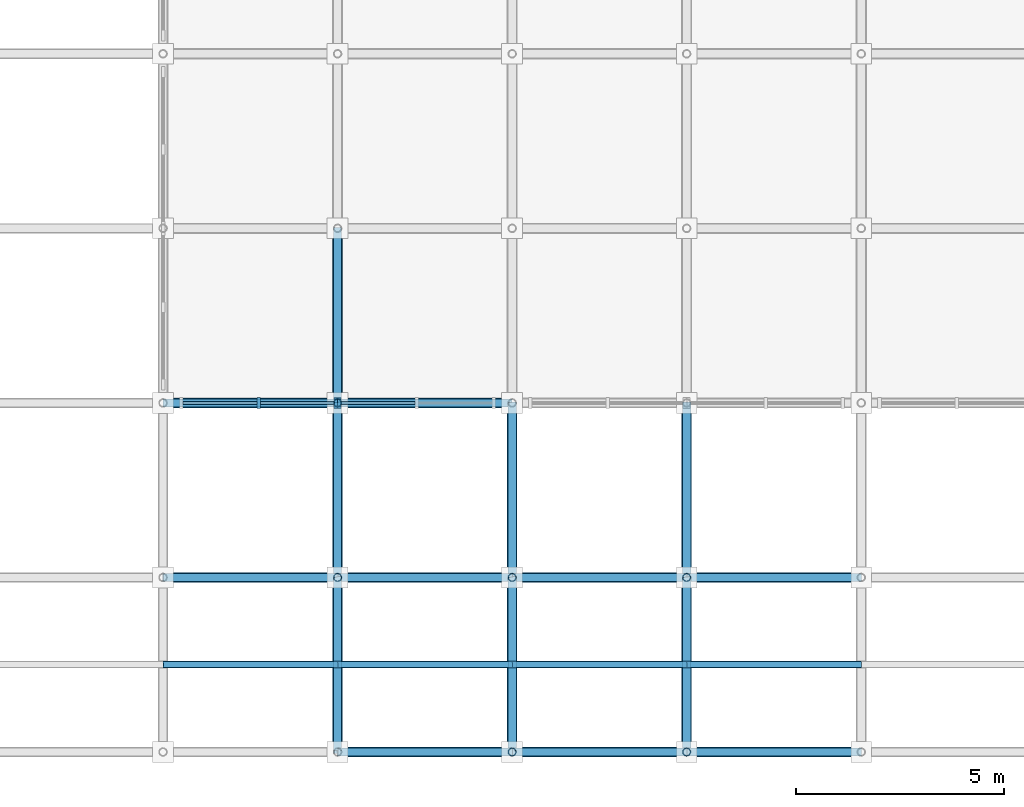
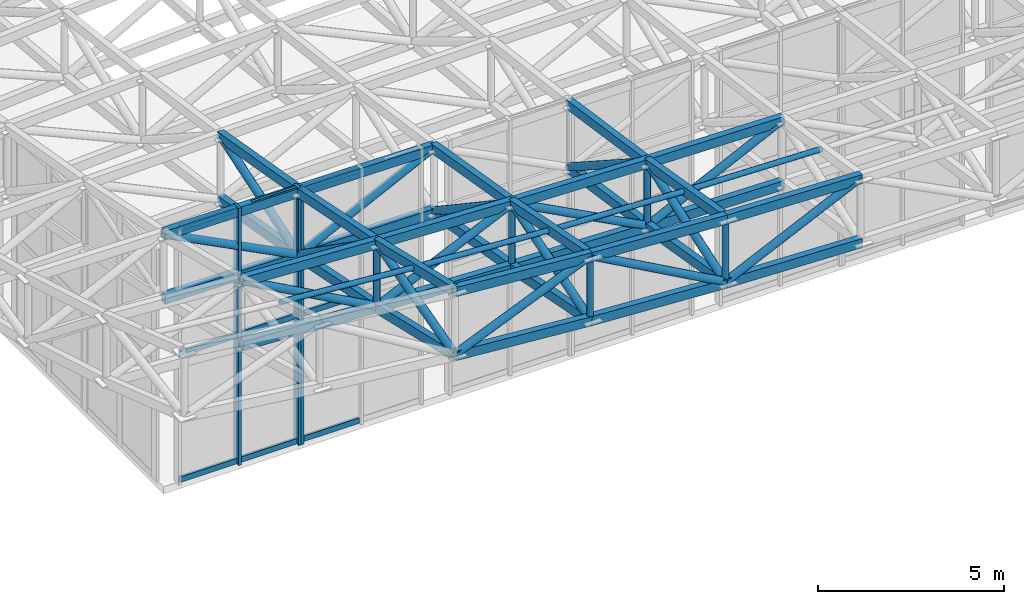
# One storey, part 27 of 123: 70 members, 2 elements without a shape of their own.
"""IFC4 building model written with IfcOpenShell, lengths in metres."""

import ifcopenshell
import ifcopenshell.guid

model = None  # the IFC model being written
_history = None  # IfcOwnerHistory: only IFC2X3 demands one
_inside = {}  # id of a spatial element -> (the spatial element, [elements in it])
_under = {}  # id of a project, library or spatial element -> (it, [spatial elements below it])
_declared = {}  # id of a project -> (the project, [libraries it declares])
_typed = {}  # id of a type object -> (the type object, [elements of that type])
_made_of = {}  # id of a material, layer set ... -> (it, [elements and type objects made of it])


def new_model(schema):
    """Start an empty IFC model of exactly this schema.

    Asked for "IFC4X3", IfcOpenShell would pick the latest addendum, in which some entities
    have other attributes; the version numbers below select the first issue.
    IFC2X3 requires an IfcOwnerHistory on every rooted entity: one is made here for all.
    """
    global model, _history
    if schema == "IFC4X3":
        model = ifcopenshell.file(schema_version=(4, 3, 0, 0))
    else:
        model = ifcopenshell.file(schema=schema)
    _inside.clear()
    _under.clear()
    _declared.clear()
    _typed.clear()
    _made_of.clear()
    _history = None
    if model.schema == "IFC2X3":
        org = make("IfcOrganization", Name="unknown")
        user = make(
            "IfcPersonAndOrganization",
            ThePerson=make("IfcPerson", FamilyName="unknown"),
            TheOrganization=org,
        )
        app = make(
            "IfcApplication",
            ApplicationDeveloper=org,
            Version="unknown",
            ApplicationFullName="unknown",
            ApplicationIdentifier="unknown",
        )
        _history = make(
            "IfcOwnerHistory",
            OwningUser=user,
            OwningApplication=app,
            ChangeAction="ADDED",
            CreationDate=0,
        )
    return model


def make(cls, **values):
    """One entity of the class cls with the attributes given. An attribute that is None is left unset."""
    return model.create_entity(
        cls, **{name: value for name, value in values.items() if value is not None}
    )


def rooted(cls, **values):
    """An entity with a GlobalId (a new one), such as an element, a storey or a relation."""
    return make(cls, GlobalId=ifcopenshell.guid.new(), OwnerHistory=_history, **values)


def si_unit(unit_type, name, prefix=None):
    """IfcSIUnit, for example si_unit("LENGTHUNIT", "METRE", prefix="MILLI")."""
    return make("IfcSIUnit", UnitType=unit_type, Prefix=prefix, Name=name)


def assignment(units):
    """IfcUnitAssignment: the units of a project."""
    return None if units is None else make("IfcUnitAssignment", Units=units)


def point(xyz):
    """IfcCartesianPoint."""
    return None if xyz is None else make("IfcCartesianPoint", Coordinates=xyz)


def direction(xyz):
    """IfcDirection."""
    return None if xyz is None else make("IfcDirection", DirectionRatios=xyz)


def frame(location, z_axis=None, x_axis=None):
    """IfcAxis2Placement3D, a coordinate frame: its origin and axes. An axis left out is left unset."""
    return make(
        "IfcAxis2Placement3D",
        Location=point(location),
        Axis=direction(z_axis),
        RefDirection=direction(x_axis),
    )


def frame_2d(location, x_axis=None):
    """IfcAxis2Placement2D, a coordinate frame in the plane: its origin and x axis."""
    return make(
        "IfcAxis2Placement2D", Location=point(location), RefDirection=direction(x_axis)
    )


def origin():
    """The frame at (0, 0, 0) with its axes left unset."""
    return frame((0.0, 0.0, 0.0))


def origin_2d():
    """The frame at (0, 0) in the plane with its x axis left unset."""
    return frame_2d((0.0, 0.0))


def place(relative_to, where):
    """IfcLocalPlacement: puts the frame where relative to a parent placement (None: the world)."""
    return make(
        "IfcLocalPlacement", PlacementRelTo=relative_to, RelativePlacement=where
    )


def context(
    kind, dimensions, precision=None, world=None, true_north=None, identifier=None
):
    """IfcGeometricRepresentationContext, for example the 3D "Model" context."""
    return make(
        "IfcGeometricRepresentationContext",
        ContextIdentifier=identifier,
        ContextType=kind,
        CoordinateSpaceDimension=dimensions,
        Precision=precision,
        WorldCoordinateSystem=world,
        TrueNorth=true_north,
    )


def subcontext(parent, identifier, kind, view, scale=None):
    """IfcGeometricRepresentationSubContext, for example "Body" below "Model"."""
    return make(
        "IfcGeometricRepresentationSubContext",
        ContextIdentifier=identifier,
        ContextType=kind,
        ParentContext=parent,
        TargetScale=scale,
        TargetView=view,
    )


def project(units=None, contexts=None):
    """IfcProject with its units and contexts."""
    return rooted(
        "IfcProject",
        Name="project",
        RepresentationContexts=contexts,
        UnitsInContext=assignment(units),
    )


def spatial(cls, under=None, at=None, **own):
    """A site, building, storey or space (cls), placed at a placement, below another one or the project."""
    s = rooted(cls, ObjectPlacement=at, **own)
    if under is not None:
        _under.setdefault(under.id(), (under, []))[1].append(s)
    return s


def profile(cls, at=None, kind="AREA", **sizes):
    """A parametric profile (cls). Its sizes go by their IFC names, for example OverallWidth=200.0."""
    return make(cls, ProfileType=kind, Position=at, **sizes)


def rectangle(**sizes):
    """IfcRectangleProfileDef."""
    return profile("IfcRectangleProfileDef", **sizes)


def hollow_rectangle(**sizes):
    """IfcRectangleHollowProfileDef."""
    return profile("IfcRectangleHollowProfileDef", **sizes)


def hollow_circle(**sizes):
    """IfcCircleHollowProfileDef."""
    return profile("IfcCircleHollowProfileDef", **sizes)


def extrude(swept, where, along, depth):
    """IfcExtrudedAreaSolid: the profile swept, set in the frame where, extruded along a direction by depth."""
    return make(
        "IfcExtrudedAreaSolid",
        SweptArea=swept,
        Position=where,
        ExtrudedDirection=direction(along),
        Depth=depth,
    )


def shape(context_of_items, identifier, shape_type, items):
    """IfcShapeRepresentation: the items that make up one representation, for example the "Body"."""
    return make(
        "IfcShapeRepresentation",
        ContextOfItems=context_of_items,
        RepresentationIdentifier=identifier,
        RepresentationType=shape_type,
        Items=items,
    )


def material(Name=None, Category=None):
    """IfcMaterial."""
    return make("IfcMaterial", Name=Name, Category=Category)


def material_profile(
    of_material, cross_section, Name=None, Category=None, Priority=None
):
    """IfcMaterialProfile: a cross section and its material."""
    return make(
        "IfcMaterialProfile",
        Name=Name,
        Material=of_material,
        Profile=cross_section,
        Priority=Priority,
        Category=Category,
    )


def profile_set(profiles, Name=None, composite=None):
    """IfcMaterialProfileSet."""
    return make(
        "IfcMaterialProfileSet",
        Name=Name,
        MaterialProfiles=profiles,
        CompositeProfile=composite,
    )


def made_of(thing, what):
    """Note that an element or type object is made of a material, layer set ...; save() writes the relation."""
    if what is not None:
        _made_of.setdefault(what.id(), (what, []))[1].append(thing)
    return thing


def type_object(cls, material=None, **own):
    """A type object (cls), such as IfcWallType, which elements share."""
    return made_of(rooted(cls, **own), material)


def element(
    cls,
    number,
    at=None,
    inside=None,
    cuts=None,
    type_object=None,
    material=None,
    context=None,
    identifier="Body",
    shape_type=None,
    held_by="IfcProductDefinitionShape",
    body=None,
    shapes=None,
    **own,
):
    """One element of the class cls, such as IfcWall. Its Tag is "e" and its number.

    at: its placement. inside: the storey or other place that contains it. cuts: it is an
    opening in that element (IfcRelVoidsElement). A single representation is given by context,
    identifier, shape_type and body (its items); several are given by shapes. held_by: the class
    of the entity that holds the representations. save() writes the other relations.
    """
    e = rooted(cls, Tag="e%d" % number, ObjectPlacement=at, **own)
    if body is not None:
        shapes = [shape(context, identifier, shape_type, body)]
    if shapes is not None:
        e.Representation = make(held_by, Representations=shapes)
    if inside is not None:
        _inside.setdefault(inside.id(), (inside, []))[1].append(e)
    if cuts is not None:
        rooted(
            "IfcRelVoidsElement", RelatingBuildingElement=cuts, RelatedOpeningElement=e
        )
    if type_object is not None:
        _typed.setdefault(type_object.id(), (type_object, []))[1].append(e)
    return made_of(e, material)


def aggregate(whole, parts):
    """IfcRelAggregates: a whole, such as a stair, and the parts it consists of."""
    return rooted("IfcRelAggregates", RelatingObject=whole, RelatedObjects=parts)


def save(model, path):
    """Write the relations noted so far, then the file.

    IfcRelAggregates (storeys below a building ...), IfcRelContainedInSpatialStructure (elements
    in a storey), IfcRelDefinesByType, IfcRelAssociatesMaterial and IfcRelDeclares: one each for
    every whole, place, type object, material and project.
    """
    for whole, parts in _under.values():
        aggregate(whole, parts)
    for where, things in _inside.values():
        rooted(
            "IfcRelContainedInSpatialStructure",
            RelatedElements=things,
            RelatingStructure=where,
        )
    for kind, things in _typed.values():
        rooted("IfcRelDefinesByType", RelatedObjects=things, RelatingType=kind)
    for what, things in _made_of.values():
        rooted("IfcRelAssociatesMaterial", RelatedObjects=things, RelatingMaterial=what)
    for by, libraries in _declared.values():
        rooted("IfcRelDeclares", RelatingContext=by, RelatedDefinitions=libraries)
    model.write(path)


model = new_model("IFC4")

# Units and contexts
model_context = context("Model", 3, precision=1e-05, world=origin(), true_north=direction((0.0, 1.0)))
body_context = subcontext(model_context, "Body", "Model", "MODEL_VIEW")
ifc_project = project(units=[si_unit("LENGTHUNIT", "METRE"), si_unit("AREAUNIT", "SQUARE_METRE"), si_unit("VOLUMEUNIT", "CUBIC_METRE"), si_unit("PLANEANGLEUNIT", "RADIAN"), si_unit("MASSUNIT", "GRAM", prefix="KILO")], contexts=[model_context])

# Site, building, storey
site_placement = place(None, origin())
site = spatial("IfcSite", under=ifc_project, at=site_placement, CompositionType="ELEMENT")
building_placement = place(site_placement, origin())
building = spatial("IfcBuilding", under=site, at=building_placement, Name="Cumbredor Promenade Congress Hotel", CompositionType="ELEMENT")
storey_placement = place(building_placement, frame((0.0, 0.0, 11.760009765625)))
storey = spatial("IfcBuildingStorey", under=building, at=storey_placement, Name="L03", CompositionType="ELEMENT", Elevation=11.760009765625)

# Members
ifc_material_1 = material(Name="Steel ASTM A500 Grade C", Category="steel")
ifc_material_profile_1 = material_profile(ifc_material_1, hollow_rectangle(XDim=0.199951171875, YDim=0.300048828125, WallThickness=0.012451171875, at=origin_2d()), Name="HSS 300x200x12.5")
ifc_profile_set_1 = profile_set([ifc_material_profile_1], Name="Steel ASTM A500 Grade C")
member_type_1 = type_object("IfcMemberType", Name="Ballroom Roof Space Frame Chord", PredefinedType="CHORD", material=ifc_profile_set_1)
for number, where, z_axis, x_axis, name in (
    (1, (147.0, 0.0, 10.07958984375), (0.996962071035, 0.0, -0.077888567312), (0.0, 1.0, 0.0), "Grand Ballroom Pavilion X Top Chord 3.1"),
    (2, (147.0, 0.0, 7.979736328125), (0.996962071035, 0.0, -0.077888567312), (0.0, 1.0, 0.0), "Grand Ballroom Pavilion X Bottom Chord 3.1"),
):
    element("IfcMember", number, at=place(storey_placement, frame(where, z_axis=z_axis, x_axis=x_axis)), inside=storey, type_object=member_type_1, Name=name, PredefinedType="CHORD", context=body_context, shape_type="SweptSolid", body=[
        extrude(hollow_rectangle(XDim=0.199951171875, YDim=0.300048828125, WallThickness=0.012451171875, at=origin_2d()), origin(), (0.0, 0.0, 1.0), 4.212646484375),
    ])
for number, where, z_axis, x_axis, name in (
    (3, (151.199951171875, 0.0, 9.75146484375), (0.998446571725, 0.0, -0.055717532341), (0.0, 1.0, 0.0), "Grand Ballroom Pavilion X Top Chord 4.1"),
    (4, (151.199951171875, 0.0, 7.651611328125), (0.998443341288, 0.0, -0.055775390977), (0.0, 1.0, 0.0), "Grand Ballroom Pavilion X Bottom Chord 4.1"),
):
    element("IfcMember", number, at=place(storey_placement, frame(where, z_axis=z_axis, x_axis=x_axis)), inside=storey, type_object=member_type_1, Name=name, PredefinedType="CHORD", context=body_context, shape_type="SweptSolid", body=[
        extrude(hollow_rectangle(XDim=0.199951171875, YDim=0.300048828125, WallThickness=0.012451171875, at=origin_2d()), origin(), (0.0, 0.0, 1.0), 4.20654296875),
    ])
for number, where, z_axis, x_axis, name in (
    (5, (155.39990234375, 0.0, 9.51708984375), (0.999438051436, 0.0, -0.033519864896), (0.0, 1.0, 0.0), "Grand Ballroom Pavilion X Top Chord 5.1"),
    (6, (155.39990234375, 0.0, 7.4169921875), (0.999438051436, 0.0, -0.033519864896), (0.0, 1.0, 0.0), "Grand Ballroom Pavilion X Bottom Chord 5.1"),
):
    element("IfcMember", number, at=place(storey_placement, frame(where, z_axis=z_axis, x_axis=x_axis)), inside=storey, type_object=member_type_1, Name=name, PredefinedType="CHORD", context=body_context, shape_type="SweptSolid", body=[
        extrude(hollow_rectangle(XDim=0.199951171875, YDim=0.300048828125, WallThickness=0.012451171875, at=origin_2d()), origin(), (0.0, 0.0, 1.0), 4.20263671875),
    ])
for number, where, z_axis, x_axis, name in (
    (7, (142.800048828125, 4.199951171875, 9.324462890625), (0.998616064852, 0.0, -0.052592347541), (0.0, 1.0, 0.0), "Grand Ballroom Pavilion X Top Chord 2.2"),
    (8, (142.800048828125, 4.199951171875, 7.224609375), (0.998613014478, 0.0, -0.052650235664), (0.0, 1.0, 0.0), "Grand Ballroom Pavilion X Bottom Chord 2.2"),
):
    element("IfcMember", number, at=place(storey_placement, frame(where, z_axis=z_axis, x_axis=x_axis)), inside=storey, type_object=member_type_1, Name=name, PredefinedType="CHORD", context=body_context, shape_type="SweptSolid", body=[
        extrude(hollow_rectangle(XDim=0.199951171875, YDim=0.300048828125, WallThickness=0.012451171875, at=origin_2d()), origin(), (0.0, 0.0, 1.0), 4.205810546875),
    ])
member_1_placement = place(storey_placement, frame((147.0, 4.199951171875, 9.103271484375), z_axis=(0.999156566716, 0.0, -0.041062820012), x_axis=(0.0, 1.0, 0.0)))
element("IfcMember", 9, at=member_1_placement, inside=storey, type_object=member_type_1, Name="Grand Ballroom Pavilion X Top Chord 3.2", PredefinedType="CHORD", context=body_context, shape_type="SweptSolid", body=[
    extrude(hollow_rectangle(XDim=0.199951171875, YDim=0.300048828125, WallThickness=0.012451171875, at=origin_2d()), origin(), (0.0, 0.0, 1.0), 4.20361328125),
])
member_2_placement = place(storey_placement, frame((147.0, 4.199951171875, 7.003173828125), z_axis=(0.999158947972, 0.0, -0.04100483737), x_axis=(0.0, 1.0, 0.0)))
element("IfcMember", 10, at=member_2_placement, inside=storey, type_object=member_type_1, Name="Grand Ballroom Pavilion X Bottom Chord 3.2", PredefinedType="CHORD", context=body_context, shape_type="SweptSolid", body=[
    extrude(hollow_rectangle(XDim=0.199951171875, YDim=0.300048828125, WallThickness=0.012451171875, at=origin_2d()), origin(), (0.0, 0.0, 1.0), 4.203369140625),
])
for number, where, z_axis, x_axis, name in (
    (11, (151.199951171875, 4.199951171875, 8.9306640625), (0.999569410131, 0.0, -0.029342704884), (0.0, 1.0, 0.0), "Grand Ballroom Pavilion X Top Chord 4.2"),
    (12, (151.199951171875, 4.199951171875, 6.830810546875), (0.999567704243, 0.0, -0.029400759074), (0.0, 1.0, 0.0), "Grand Ballroom Pavilion X Bottom Chord 4.2"),
):
    element("IfcMember", number, at=place(storey_placement, frame(where, z_axis=z_axis, x_axis=x_axis)), inside=storey, type_object=member_type_1, Name=name, PredefinedType="CHORD", context=body_context, shape_type="SweptSolid", body=[
        extrude(hollow_rectangle(XDim=0.199951171875, YDim=0.300048828125, WallThickness=0.012451171875, at=origin_2d()), origin(), (0.0, 0.0, 1.0), 4.20166015625),
    ])
for number, where, z_axis, x_axis, name in (
    (13, (155.39990234375, 4.199951171875, 8.807373046875), (0.999844941573, 0.0, -0.017609452296), (0.0, 1.0, 0.0), "Grand Ballroom Pavilion X Top Chord 5.2"),
    (14, (155.39990234375, 4.199951171875, 6.707275390625), (0.999844941573, 0.0, -0.017609452296), (0.0, 1.0, 0.0), "Grand Ballroom Pavilion X Bottom Chord 5.2"),
):
    element("IfcMember", number, at=place(storey_placement, frame(where, z_axis=z_axis, x_axis=x_axis)), inside=storey, type_object=member_type_1, Name=name, PredefinedType="CHORD", context=body_context, shape_type="SweptSolid", body=[
        extrude(hollow_rectangle(XDim=0.199951171875, YDim=0.300048828125, WallThickness=0.012451171875, at=origin_2d()), origin(), (0.0, 0.0, 1.0), 4.200927734375),
    ])
for number, where, z_axis, x_axis, name in (
    (15, (142.800048828125, 8.39990234375, 8.30126953125), (0.999934438125, 0.0, -0.011450740238), (0.0, 1.0, 0.0), "Grand Ballroom Pavilion X Top Chord 2.3"),
    (16, (142.800048828125, 8.39990234375, 6.201171875), (0.999934438125, 0.0, -0.011450740238), (0.0, 1.0, 0.0), "Grand Ballroom Pavilion X Bottom Chord 2.3"),
    (17, (147.0, 8.39990234375, 8.253173828125), (0.99995993391, 0.0, -0.008951568321), (0.0, 1.0, 0.0), "Grand Ballroom Pavilion X Top Chord 3.3"),
    (18, (147.0, 8.39990234375, 6.153076171875), (0.99995993391, 0.0, -0.008951568321), (0.0, 1.0, 0.0), "Grand Ballroom Pavilion X Bottom Chord 3.3"),
):
    element("IfcMember", number, at=place(storey_placement, frame(where, z_axis=z_axis, x_axis=x_axis)), inside=storey, type_object=member_type_1, Name=name, PredefinedType="CHORD", context=body_context, shape_type="SweptSolid", body=[
        extrude(hollow_rectangle(XDim=0.199951171875, YDim=0.300048828125, WallThickness=0.012451171875, at=origin_2d()), origin(), (0.0, 0.0, 1.0), 4.2001953125),
    ])
for number, where, z_axis, x_axis, name in (
    (19, (147.0, 0.0, 10.07958984375), (0.0, 0.97402922975, -0.226422303655), (-1.0, 0.0, 0.0), "Grand Ballroom Pavilion Y Top Chord 3.1"),
    (20, (147.0, 0.0, 7.979736328125), (0.0, 0.974016741404, -0.226476019625), (-1.0, 0.0, 0.0), "Grand Ballroom Pavilion Y Bottom Chord 3.1"),
):
    element("IfcMember", number, at=place(storey_placement, frame(where, z_axis=z_axis, x_axis=x_axis)), inside=storey, type_object=member_type_1, Name=name, PredefinedType="CHORD", context=body_context, shape_type="SweptSolid", body=[
        extrude(hollow_rectangle(XDim=0.199951171875, YDim=0.300048828125, WallThickness=0.012451171875, at=origin_2d()), origin(), (0.0, 0.0, 1.0), 4.31201171875),
    ])
for number, where, z_axis, x_axis, name in (
    (21, (147.0, 4.199951171875, 9.103271484375), (0.0, 0.9801244518, -0.198383615716), (-1.0, 0.0, 0.0), "Grand Ballroom Pavilion Y Top Chord 3.2"),
    (22, (147.0, 4.199951171875, 7.003173828125), (0.0, 0.9801244518, -0.198383615716), (-1.0, 0.0, 0.0), "Grand Ballroom Pavilion Y Bottom Chord 3.2"),
):
    element("IfcMember", number, at=place(storey_placement, frame(where, z_axis=z_axis, x_axis=x_axis)), inside=storey, type_object=member_type_1, Name=name, PredefinedType="CHORD", context=body_context, shape_type="SweptSolid", body=[
        extrude(hollow_rectangle(XDim=0.199951171875, YDim=0.300048828125, WallThickness=0.012451171875, at=origin_2d()), origin(), (0.0, 0.0, 1.0), 4.28515625),
    ])
for number, where, z_axis, x_axis, name in (
    (23, (147.0, 8.39990234375, 8.253173828125), (0.0, 0.985269703743, -0.171007634002), (-1.0, 0.0, 0.0), "Grand Ballroom Pavilion Y Top Chord 3.3"),
    (24, (147.0, 8.39990234375, 6.153076171875), (0.0, 0.98527935158, -0.170952038158), (-1.0, 0.0, 0.0), "Grand Ballroom Pavilion Y Bottom Chord 3.3"),
):
    element("IfcMember", number, at=place(storey_placement, frame(where, z_axis=z_axis, x_axis=x_axis)), inside=storey, type_object=member_type_1, Name=name, PredefinedType="CHORD", context=body_context, shape_type="SweptSolid", body=[
        extrude(hollow_rectangle(XDim=0.199951171875, YDim=0.300048828125, WallThickness=0.012451171875, at=origin_2d()), origin(), (0.0, 0.0, 1.0), 4.262939453125),
    ])
for number, where, z_axis, x_axis, name in (
    (25, (151.199951171875, 0.0, 9.75146484375), (0.0, 0.981433531081, -0.191802565337), (-1.0, 0.0, 0.0), "Grand Ballroom Pavilion Y Top Chord 4.1"),
    (26, (151.199951171875, 0.0, 7.651611328125), (0.0, 0.981433531081, -0.191802565337), (-1.0, 0.0, 0.0), "Grand Ballroom Pavilion Y Bottom Chord 4.1"),
):
    element("IfcMember", number, at=place(storey_placement, frame(where, z_axis=z_axis, x_axis=x_axis)), inside=storey, type_object=member_type_1, Name=name, PredefinedType="CHORD", context=body_context, shape_type="SweptSolid", body=[
        extrude(hollow_rectangle(XDim=0.199951171875, YDim=0.300048828125, WallThickness=0.012451171875, at=origin_2d()), origin(), (0.0, 0.0, 1.0), 4.279296875),
    ])
for number, where, z_axis, x_axis, name in (
    (27, (151.199951171875, 4.199951171875, 8.9306640625), (0.0, 0.985813302851, -0.167845559731), (-1.0, 0.0, 0.0), "Grand Ballroom Pavilion Y Top Chord 4.2"),
    (28, (151.199951171875, 4.199951171875, 6.830810546875), (0.0, 0.985803819477, -0.167901249263), (-1.0, 0.0, 0.0), "Grand Ballroom Pavilion Y Bottom Chord 4.2"),
):
    element("IfcMember", number, at=place(storey_placement, frame(where, z_axis=z_axis, x_axis=x_axis)), inside=storey, type_object=member_type_1, Name=name, PredefinedType="CHORD", context=body_context, shape_type="SweptSolid", body=[
        extrude(hollow_rectangle(XDim=0.199951171875, YDim=0.300048828125, WallThickness=0.012451171875, at=origin_2d()), origin(), (0.0, 0.0, 1.0), 4.260498046875),
    ])
for number, where, z_axis, x_axis, name in (
    (29, (155.39990234375, 0.0, 9.51708984375), (0.0, 0.986021186806, -0.166619984308), (-1.0, 0.0, 0.0), "Grand Ballroom Pavilion Y Top Chord 5.1"),
    (30, (155.39990234375, 0.0, 7.4169921875), (0.0, 0.986021186806, -0.166619984308), (-1.0, 0.0, 0.0), "Grand Ballroom Pavilion Y Bottom Chord 5.1"),
):
    element("IfcMember", number, at=place(storey_placement, frame(where, z_axis=z_axis, x_axis=x_axis)), inside=storey, type_object=member_type_1, Name=name, PredefinedType="CHORD", context=body_context, shape_type="SweptSolid", body=[
        extrude(hollow_rectangle(XDim=0.199951171875, YDim=0.300048828125, WallThickness=0.012451171875, at=origin_2d()), origin(), (0.0, 0.0, 1.0), 4.259521484375),
    ])
for number, where, z_axis, x_axis, name in (
    (31, (155.39990234375, 4.199951171875, 8.807373046875), (0.0, 0.989316485131, -0.145783717364), (-1.0, 0.0, 0.0), "Grand Ballroom Pavilion Y Top Chord 5.2"),
    (32, (155.39990234375, 4.199951171875, 6.707275390625), (0.0, 0.989324777815, -0.145727430505), (-1.0, 0.0, 0.0), "Grand Ballroom Pavilion Y Bottom Chord 5.2"),
):
    element("IfcMember", number, at=place(storey_placement, frame(where, z_axis=z_axis, x_axis=x_axis)), inside=storey, type_object=member_type_1, Name=name, PredefinedType="CHORD", context=body_context, shape_type="SweptSolid", body=[
        extrude(hollow_rectangle(XDim=0.199951171875, YDim=0.300048828125, WallThickness=0.012451171875, at=origin_2d()), origin(), (0.0, 0.0, 1.0), 4.245361328125),
    ])

# Curtain wall, members
ifc_material_2 = material(Name="Thermally broken anodized aluminium and low-E glass", Category="aluminium")
curtain_wall_type = type_object("IfcCurtainWallType", Name="Stepped Pavilion Clerestory Curtain Wall CW-06", PredefinedType="NOTDEFINED", material=ifc_material_2)
curtain_wall_1_placement = place(storey_placement, origin())
curtain_wall_1 = element("IfcCurtainWall", 33, at=curtain_wall_1_placement, inside=storey, type_object=curtain_wall_type, Name="Grand Ballroom Pavilion S Glazed Clerestory 1", PredefinedType="NOTDEFINED")
ifc_material_3 = material(Name="Thermally broken anodized aluminium", Category="aluminium")
ifc_material_profile_2 = material_profile(ifc_material_3, rectangle(XDim=0.0849609375, YDim=0.260009765625, at=origin_2d()), Name="ALU MULLION CLERESTORY 85x260")
ifc_profile_set_2 = profile_set([ifc_material_profile_2], Name="Thermally broken anodized aluminium")
member_type_2 = type_object("IfcMemberType", Name="Curtain Wall Mullion ML-04", PredefinedType="MULLION", material=ifc_profile_set_2)
member_3_placement = place(storey_placement, frame((145.10009765625, 8.39990234375, -0.01806640625), z_axis=(0.0, 0.0, 1.0), x_axis=(1.0, 0.0, 0.0)))
member_3 = element("IfcMember", 34, at=member_3_placement, type_object=member_type_2, Name="Grand Ballroom Pavilion S Glazed Clerestory 1 Mullion 2", PredefinedType="MULLION", context=body_context, shape_type="SweptSolid", body=[
    extrude(rectangle(XDim=0.0849609375, YDim=0.260009765625, at=origin_2d()), origin(), (0.0, 0.0, 1.0), 8.447265625),
])
member_4_placement = place(storey_placement, frame((146.9599609375, 8.39990234375, -0.01806640625), z_axis=(0.0, 0.0, 1.0), x_axis=(1.0, 0.0, 0.0)))
member_4 = element("IfcMember", 35, at=member_4_placement, type_object=member_type_2, Name="Grand Ballroom Pavilion S Glazed Clerestory 1 Mullion 3", PredefinedType="MULLION", context=body_context, shape_type="SweptSolid", body=[
    extrude(rectangle(XDim=0.0849609375, YDim=0.260009765625, at=origin_2d()), origin(), (0.0, 0.0, 1.0), 8.447265625),
])

# Curtain wall, member
curtain_wall_2_placement = place(storey_placement, origin())
curtain_wall_2 = element("IfcCurtainWall", 36, at=curtain_wall_2_placement, inside=storey, type_object=curtain_wall_type, Name="Grand Ballroom Pavilion S Glazed Clerestory 2", PredefinedType="NOTDEFINED")
member_5_placement = place(storey_placement, frame((147.0400390625, 8.39990234375, -0.01806640625), z_axis=(0.0, 0.0, 1.0), x_axis=(1.0, 0.0, 0.0)))
member_5 = element("IfcMember", 37, at=member_5_placement, type_object=member_type_2, Name="Grand Ballroom Pavilion S Glazed Clerestory 2 Mullion 1", PredefinedType="MULLION", context=body_context, shape_type="SweptSolid", body=[
    extrude(rectangle(XDim=0.0849609375, YDim=0.260009765625, at=origin_2d()), origin(), (0.0, 0.0, 1.0), 8.40966796875),
])

# Member
ifc_material_profile_3 = material_profile(ifc_material_3, rectangle(XDim=0.080078125, YDim=0.179931640625, at=origin_2d()), Name="ALU TRANSOM 80x180")
ifc_profile_set_3 = profile_set([ifc_material_profile_3], Name="Thermally broken anodized aluminium")
member_type_3 = type_object("IfcMemberType", Name="Curtain Wall Transom TR-03", PredefinedType="USERDEFINED", material=ifc_profile_set_3)
member_6_placement = place(storey_placement, frame((143.282470703125, 8.39990234375, 0.080078125), z_axis=(1.0, 0.0, 0.0), x_axis=(0.0, 1.0, 0.0)))
member_6 = element("IfcMember", 38, at=member_6_placement, type_object=member_type_3, Name="Grand Ballroom Pavilion S Glazed Clerestory 1 Transom 1.1", ObjectType="TRANSOM", PredefinedType="USERDEFINED", context=body_context, shape_type="SweptSolid", body=[
    extrude(rectangle(XDim=0.080078125, YDim=0.179931640625, at=origin_2d()), origin(), (0.0, 0.0, 1.0), 1.775146484375),
])

member_7_placement = place(storey_placement, frame((143.282470703125, 8.39990234375, 4.199951171875), z_axis=(1.0, 0.0, 0.0), x_axis=(0.0, 1.0, 0.0)))
member_7 = element("IfcMember", 39, at=member_7_placement, type_object=member_type_3, Name="Grand Ballroom Pavilion S Glazed Clerestory 1 Transom 1.2", ObjectType="TRANSOM", PredefinedType="USERDEFINED", context=body_context, shape_type="SweptSolid", body=[
    extrude(rectangle(XDim=0.080078125, YDim=0.179931640625, at=origin_2d()), origin(), (0.0, 0.0, 1.0), 1.775146484375),
])

member_8_placement = place(storey_placement, frame((143.282470703125, 8.39990234375, 8.330078125), z_axis=(1.0, 0.0, 0.0), x_axis=(0.0, 1.0, 0.0)))
member_8 = element("IfcMember", 40, at=member_8_placement, type_object=member_type_3, Name="Grand Ballroom Pavilion S Glazed Clerestory 1 Transom 1.3", ObjectType="TRANSOM", PredefinedType="USERDEFINED", context=body_context, shape_type="SweptSolid", body=[
    extrude(rectangle(XDim=0.080078125, YDim=0.179931640625, at=origin_2d()), origin(), (0.0, 0.0, 1.0), 1.775146484375),
])

member_9_placement = place(storey_placement, frame((145.142578125, 8.39990234375, 0.080078125), z_axis=(1.0, 0.0, 0.0), x_axis=(0.0, 1.0, 0.0)))
member_9 = element("IfcMember", 41, at=member_9_placement, type_object=member_type_3, Name="Grand Ballroom Pavilion S Glazed Clerestory 1 Transom 2.1", ObjectType="TRANSOM", PredefinedType="USERDEFINED", context=body_context, shape_type="SweptSolid", body=[
    extrude(rectangle(XDim=0.080078125, YDim=0.179931640625, at=origin_2d()), origin(), (0.0, 0.0, 1.0), 1.77490234375),
])

member_10_placement = place(storey_placement, frame((145.142578125, 8.39990234375, 4.199951171875), z_axis=(1.0, 0.0, 0.0), x_axis=(0.0, 1.0, 0.0)))
member_10 = element("IfcMember", 42, at=member_10_placement, type_object=member_type_3, Name="Grand Ballroom Pavilion S Glazed Clerestory 1 Transom 2.2", ObjectType="TRANSOM", PredefinedType="USERDEFINED", context=body_context, shape_type="SweptSolid", body=[
    extrude(rectangle(XDim=0.080078125, YDim=0.179931640625, at=origin_2d()), origin(), (0.0, 0.0, 1.0), 1.77490234375),
])

member_11_placement = place(storey_placement, frame((145.142578125, 8.39990234375, 8.330078125), z_axis=(1.0, 0.0, 0.0), x_axis=(0.0, 1.0, 0.0)))
member_11 = element("IfcMember", 43, at=member_11_placement, type_object=member_type_3, Name="Grand Ballroom Pavilion S Glazed Clerestory 1 Transom 2.3", ObjectType="TRANSOM", PredefinedType="USERDEFINED", context=body_context, shape_type="SweptSolid", body=[
    extrude(rectangle(XDim=0.080078125, YDim=0.179931640625, at=origin_2d()), origin(), (0.0, 0.0, 1.0), 1.77490234375),
])

aggregate(curtain_wall_1, [member_3, member_4, member_6, member_7, member_8, member_9, member_10, member_11])

member_12_placement = place(storey_placement, frame((147.08251953125, 8.39990234375, 0.080078125), z_axis=(1.0, 0.0, 0.0), x_axis=(0.0, 1.0, 0.0)))
member_12 = element("IfcMember", 44, at=member_12_placement, type_object=member_type_3, Name="Grand Ballroom Pavilion S Glazed Clerestory 2 Transom 1.1", ObjectType="TRANSOM", PredefinedType="USERDEFINED", context=body_context, shape_type="SweptSolid", body=[
    extrude(rectangle(XDim=0.080078125, YDim=0.179931640625, at=origin_2d()), origin(), (0.0, 0.0, 1.0), 1.77490234375),
])

member_13_placement = place(storey_placement, frame((147.08251953125, 8.39990234375, 4.18994140625), z_axis=(1.0, 0.0, 0.0), x_axis=(0.0, 1.0, 0.0)))
member_13 = element("IfcMember", 45, at=member_13_placement, type_object=member_type_3, Name="Grand Ballroom Pavilion S Glazed Clerestory 2 Transom 1.2", ObjectType="TRANSOM", PredefinedType="USERDEFINED", context=body_context, shape_type="SweptSolid", body=[
    extrude(rectangle(XDim=0.080078125, YDim=0.179931640625, at=origin_2d()), origin(), (0.0, 0.0, 1.0), 1.77490234375),
])

member_14_placement = place(storey_placement, frame((147.08251953125, 8.39990234375, 8.2900390625), z_axis=(1.0, 0.0, 0.0), x_axis=(0.0, 1.0, 0.0)))
member_14 = element("IfcMember", 46, at=member_14_placement, type_object=member_type_3, Name="Grand Ballroom Pavilion S Glazed Clerestory 2 Transom 1.3", ObjectType="TRANSOM", PredefinedType="USERDEFINED", context=body_context, shape_type="SweptSolid", body=[
    extrude(rectangle(XDim=0.080078125, YDim=0.179931640625, at=origin_2d()), origin(), (0.0, 0.0, 1.0), 1.77490234375),
])

aggregate(curtain_wall_2, [member_5, member_12, member_13, member_14])

# Members
ifc_material_profile_4 = material_profile(ifc_material_1, hollow_circle(Radius=0.084228515625, WallThickness=0.010009765625, at=origin_2d()), Name="CHS 168.3x10")
ifc_profile_set_4 = profile_set([ifc_material_profile_4], Name="Steel ASTM A500 Grade C")
member_type_4 = type_object("IfcMemberType", Name="Roof Purlin CHS168", PredefinedType="PURLIN", material=ifc_profile_set_4)
member_15_placement = place(storey_placement, frame((142.800048828125, 2.10009765625, 9.892822265625), z_axis=(0.997086786034, 0.0, -0.07627542931), x_axis=(0.0, 1.0, 0.0)))
element("IfcMember", 47, at=member_15_placement, inside=storey, type_object=member_type_4, Name="Grand Ballroom Pavilion Roof Eave Purlin 2.1", PredefinedType="PURLIN", context=body_context, shape_type="SweptSolid", body=[
    extrude(hollow_circle(Radius=0.084228515625, WallThickness=0.010009765625, at=origin_2d()), origin(), (0.0, 0.0, 1.0), 4.212158203125),
])
member_16_placement = place(storey_placement, frame((147.0, 2.10009765625, 9.571533203125), z_axis=(0.998226220481, 0.0, -0.059534970773), x_axis=(0.0, 1.0, 0.0)))
element("IfcMember", 48, at=member_16_placement, inside=storey, type_object=member_type_4, Name="Grand Ballroom Pavilion Roof Eave Purlin 3.1", PredefinedType="PURLIN", context=body_context, shape_type="SweptSolid", body=[
    extrude(hollow_circle(Radius=0.084228515625, WallThickness=0.010009765625, at=origin_2d()), origin(), (0.0, 0.0, 1.0), 4.20751953125),
])
member_17_placement = place(storey_placement, frame((151.199951171875, 2.10009765625, 9.321044921875), z_axis=(0.999093477233, 0.0, -0.042570221404), x_axis=(0.0, 1.0, 0.0)))
element("IfcMember", 49, at=member_17_placement, inside=storey, type_object=member_type_4, Name="Grand Ballroom Pavilion Roof Eave Purlin 4.1", PredefinedType="PURLIN", context=body_context, shape_type="SweptSolid", body=[
    extrude(hollow_circle(Radius=0.084228515625, WallThickness=0.010009765625, at=origin_2d()), origin(), (0.0, 0.0, 1.0), 4.203857421875),
])
member_18_placement = place(storey_placement, frame((155.39990234375, 2.10009765625, 9.14208984375), z_axis=(0.999674592055, 0.0, -0.025509018014), x_axis=(0.0, 1.0, 0.0)))
element("IfcMember", 50, at=member_18_placement, inside=storey, type_object=member_type_4, Name="Grand Ballroom Pavilion Roof Eave Purlin 5.1", PredefinedType="PURLIN", context=body_context, shape_type="SweptSolid", body=[
    extrude(hollow_circle(Radius=0.084228515625, WallThickness=0.010009765625, at=origin_2d()), origin(), (0.0, 0.0, 1.0), 4.20166015625),
])
ifc_material_profile_5 = material_profile(ifc_material_1, hollow_circle(Radius=0.122314453125, WallThickness=0.012451171875, at=origin_2d()), Name="CHS 244.5x12.5")
ifc_profile_set_5 = profile_set([ifc_material_profile_5], Name="Steel ASTM A500 Grade C")
member_type_5 = type_object("IfcMemberType", Name="Space Frame Web Diagonal D2", PredefinedType="BRACE", material=ifc_profile_set_5)
member_19_placement = place(storey_placement, frame((147.0, 0.0, 7.979736328125), z_axis=(0.921374051022, 0.0, 0.388677061458), x_axis=(0.0, 1.0, 0.0)))
element("IfcMember", 51, at=member_19_placement, inside=storey, type_object=member_type_5, Name="Grand Ballroom Pavilion X Web Diagonal 3.1", PredefinedType="BRACE", context=body_context, shape_type="SweptSolid", body=[
    extrude(hollow_circle(Radius=0.122314453125, WallThickness=0.012451171875, at=origin_2d()), origin(), (0.0, 0.0, 1.0), 4.558349609375),
])
member_20_placement = place(storey_placement, frame((151.199951171875, 0.0, 9.75146484375), z_axis=(0.874054201985, 0.0, -0.485828418263), x_axis=(0.0, 1.0, 0.0)))
element("IfcMember", 52, at=member_20_placement, inside=storey, type_object=member_type_5, Name="Grand Ballroom Pavilion X Web Diagonal 4.1", PredefinedType="BRACE", context=body_context, shape_type="SweptSolid", body=[
    extrude(hollow_circle(Radius=0.122314453125, WallThickness=0.012451171875, at=origin_2d()), origin(), (0.0, 0.0, 1.0), 4.80517578125),
])
member_21_placement = place(storey_placement, frame((155.39990234375, 0.0, 7.4169921875), z_axis=(0.906254452481, 0.0, 0.422732619226), x_axis=(0.0, 1.0, 0.0)))
element("IfcMember", 53, at=member_21_placement, inside=storey, type_object=member_type_5, Name="Grand Ballroom Pavilion X Web Diagonal 5.1", PredefinedType="BRACE", context=body_context, shape_type="SweptSolid", body=[
    extrude(hollow_circle(Radius=0.122314453125, WallThickness=0.012451171875, at=origin_2d()), origin(), (0.0, 0.0, 1.0), 4.634765625),
])
member_22_placement = place(storey_placement, frame((142.800048828125, 4.199951171875, 9.324462890625), z_axis=(0.875218296148, 0.0, -0.483728161354), x_axis=(0.0, 1.0, 0.0)))
element("IfcMember", 54, at=member_22_placement, inside=storey, type_object=member_type_5, Name="Grand Ballroom Pavilion X Web Diagonal 2.2", PredefinedType="BRACE", context=body_context, shape_type="SweptSolid", body=[
    extrude(hollow_circle(Radius=0.122314453125, WallThickness=0.012451171875, at=origin_2d()), origin(), (0.0, 0.0, 1.0), 4.798828125),
])
member_23_placement = place(storey_placement, frame((147.0, 4.199951171875, 7.003173828125), z_axis=(0.90885876788, 0.0, 0.417103991886), x_axis=(0.0, 1.0, 0.0)))
element("IfcMember", 55, at=member_23_placement, inside=storey, type_object=member_type_5, Name="Grand Ballroom Pavilion X Web Diagonal 3.2", PredefinedType="BRACE", context=body_context, shape_type="SweptSolid", body=[
    extrude(hollow_circle(Radius=0.122314453125, WallThickness=0.012451171875, at=origin_2d()), origin(), (0.0, 0.0, 1.0), 4.62109375),
])
member_24_placement = place(storey_placement, frame((151.199951171875, 4.199951171875, 8.9306640625), z_axis=(0.883797913372, 0.0, -0.467868836661), x_axis=(0.0, 1.0, 0.0)))
element("IfcMember", 56, at=member_24_placement, inside=storey, type_object=member_type_5, Name="Grand Ballroom Pavilion X Web Diagonal 4.2", PredefinedType="BRACE", context=body_context, shape_type="SweptSolid", body=[
    extrude(hollow_circle(Radius=0.122314453125, WallThickness=0.012451171875, at=origin_2d()), origin(), (0.0, 0.0, 1.0), 4.752197265625),
])
member_25_placement = place(storey_placement, frame((155.39990234375, 4.199951171875, 6.707275390625), z_axis=(0.900682352115, 0.0, 0.434478193455), x_axis=(0.0, 1.0, 0.0)))
element("IfcMember", 57, at=member_25_placement, inside=storey, type_object=member_type_5, Name="Grand Ballroom Pavilion X Web Diagonal 5.2", PredefinedType="BRACE", context=body_context, shape_type="SweptSolid", body=[
    extrude(hollow_circle(Radius=0.122314453125, WallThickness=0.012451171875, at=origin_2d()), origin(), (0.0, 0.0, 1.0), 4.663330078125),
])
member_26_placement = place(storey_placement, frame((142.800048828125, 8.39990234375, 8.30126953125), z_axis=(0.890301351474, 0.0, -0.455371830007), x_axis=(0.0, 1.0, 0.0)))
element("IfcMember", 58, at=member_26_placement, inside=storey, type_object=member_type_5, Name="Grand Ballroom Pavilion X Web Diagonal 2.3", PredefinedType="BRACE", context=body_context, shape_type="SweptSolid", body=[
    extrude(hollow_circle(Radius=0.122314453125, WallThickness=0.012451171875, at=origin_2d()), origin(), (0.0, 0.0, 1.0), 4.717529296875),
])
member_27_placement = place(storey_placement, frame((147.0, 8.39990234375, 6.153076171875), z_axis=(0.897607933284, 0.0, 0.440794734662), x_axis=(0.0, 1.0, 0.0)))
element("IfcMember", 59, at=member_27_placement, inside=storey, type_object=member_type_5, Name="Grand Ballroom Pavilion X Web Diagonal 3.3", PredefinedType="BRACE", context=body_context, shape_type="SweptSolid", body=[
    extrude(hollow_circle(Radius=0.122314453125, WallThickness=0.012451171875, at=origin_2d()), origin(), (0.0, 0.0, 1.0), 4.678955078125),
])
member_28_placement = place(storey_placement, frame((147.0, 0.0, 7.979736328125), z_axis=(0.0, 0.966031456582, 0.258424505214), x_axis=(-1.0, 0.0, 0.0)))
element("IfcMember", 60, at=member_28_placement, inside=storey, type_object=member_type_5, Name="Grand Ballroom Pavilion Y Web Diagonal 3.1", PredefinedType="BRACE", context=body_context, shape_type="SweptSolid", body=[
    extrude(hollow_circle(Radius=0.122314453125, WallThickness=0.012451171875, at=origin_2d()), origin(), (0.0, 0.0, 1.0), 4.34765625),
])
member_29_placement = place(storey_placement, frame((147.0, 4.199951171875, 9.103271484375), z_axis=(0.0, 0.818294493552, -0.574799201307), x_axis=(-1.0, 0.0, 0.0)))
element("IfcMember", 61, at=member_29_placement, inside=storey, type_object=member_type_5, Name="Grand Ballroom Pavilion Y Web Diagonal 3.2", PredefinedType="BRACE", context=body_context, shape_type="SweptSolid", body=[
    extrude(hollow_circle(Radius=0.122314453125, WallThickness=0.012451171875, at=origin_2d()), origin(), (0.0, 0.0, 1.0), 5.132568359375),
])
member_30_placement = place(storey_placement, frame((147.0, 8.39990234375, 6.153076171875), z_axis=(0.0, 0.95063207259, 0.31032025806), x_axis=(-1.0, 0.0, 0.0)))
element("IfcMember", 62, at=member_30_placement, inside=storey, type_object=member_type_5, Name="Grand Ballroom Pavilion Y Web Diagonal 3.3", PredefinedType="BRACE", context=body_context, shape_type="SweptSolid", body=[
    extrude(hollow_circle(Radius=0.122314453125, WallThickness=0.012451171875, at=origin_2d()), origin(), (0.0, 0.0, 1.0), 4.418212890625),
])
member_31_placement = place(storey_placement, frame((151.199951171875, 0.0, 7.651611328125), z_axis=(0.0, 0.956622683291, 0.291329781885), x_axis=(-1.0, 0.0, 0.0)))
element("IfcMember", 63, at=member_31_placement, inside=storey, type_object=member_type_5, Name="Grand Ballroom Pavilion Y Web Diagonal 4.1", PredefinedType="BRACE", context=body_context, shape_type="SweptSolid", body=[
    extrude(hollow_circle(Radius=0.122314453125, WallThickness=0.012451171875, at=origin_2d()), origin(), (0.0, 0.0, 1.0), 4.390380859375),
])
member_32_placement = place(storey_placement, frame((151.199951171875, 4.199951171875, 8.9306640625), z_axis=(0.0, 0.830658543347, -0.556782169583), x_axis=(-1.0, 0.0, 0.0)))
element("IfcMember", 64, at=member_32_placement, inside=storey, type_object=member_type_5, Name="Grand Ballroom Pavilion Y Web Diagonal 4.2", PredefinedType="BRACE", context=body_context, shape_type="SweptSolid", body=[
    extrude(hollow_circle(Radius=0.122314453125, WallThickness=0.012451171875, at=origin_2d()), origin(), (0.0, 0.0, 1.0), 5.05615234375),
])
member_33_placement = place(storey_placement, frame((155.39990234375, 0.0, 7.4169921875), z_axis=(0.0, 0.949332459363, 0.314273577636), x_axis=(-1.0, 0.0, 0.0)))
element("IfcMember", 65, at=member_33_placement, inside=storey, type_object=member_type_5, Name="Grand Ballroom Pavilion Y Web Diagonal 5.1", PredefinedType="BRACE", context=body_context, shape_type="SweptSolid", body=[
    extrude(hollow_circle(Radius=0.122314453125, WallThickness=0.012451171875, at=origin_2d()), origin(), (0.0, 0.0, 1.0), 4.424072265625),
])
member_34_placement = place(storey_placement, frame((155.39990234375, 4.199951171875, 8.807373046875), z_axis=(0.0, 0.839466714631, -0.543411110511), x_axis=(-1.0, 0.0, 0.0)))
element("IfcMember", 66, at=member_34_placement, inside=storey, type_object=member_type_5, Name="Grand Ballroom Pavilion Y Web Diagonal 5.2", PredefinedType="BRACE", context=body_context, shape_type="SweptSolid", body=[
    extrude(hollow_circle(Radius=0.122314453125, WallThickness=0.012451171875, at=origin_2d()), origin(), (0.0, 0.0, 1.0), 5.003173828125),
])
ifc_material_profile_6 = material_profile(ifc_material_1, hollow_circle(Radius=0.096923828125, WallThickness=0.010009765625, at=origin_2d()), Name="CHS 193.7x10")
ifc_profile_set_6 = profile_set([ifc_material_profile_6], Name="Steel ASTM A500 Grade C")
member_type_6 = type_object("IfcMemberType", Name="Space Frame Web Post P1", PredefinedType="BRACE", material=ifc_profile_set_6)
for number, where, z_axis, x_axis, name in (
    (67, (147.0, 4.199951171875, 7.003173828125), (0.0, 0.0, 1.0), (1.0, 0.0, 0.0), "Grand Ballroom Pavilion Space Frame Web Post 3.2"),
    (68, (147.0, 8.39990234375, 6.153076171875), (0.0, 0.0, 1.0), (1.0, 0.0, 0.0), "Grand Ballroom Pavilion Space Frame Web Post 3.3"),
):
    element("IfcMember", number, at=place(storey_placement, frame(where, z_axis=z_axis, x_axis=x_axis)), inside=storey, type_object=member_type_6, Name=name, PredefinedType="BRACE", context=body_context, shape_type="SweptSolid", body=[
        extrude(hollow_circle(Radius=0.096923828125, WallThickness=0.010009765625, at=origin_2d()), origin(), (0.0, 0.0, 1.0), 2.10009765625),
    ])
for number, where, z_axis, x_axis, name in (
    (69, (151.199951171875, 0.0, 7.651611328125), (0.0, 0.0, 1.0), (1.0, 0.0, 0.0), "Grand Ballroom Pavilion Space Frame Web Post 4.1"),
    (70, (151.199951171875, 4.199951171875, 6.830810546875), (0.0, 0.0, 1.0), (1.0, 0.0, 0.0), "Grand Ballroom Pavilion Space Frame Web Post 4.2"),
):
    element("IfcMember", number, at=place(storey_placement, frame(where, z_axis=z_axis, x_axis=x_axis)), inside=storey, type_object=member_type_6, Name=name, PredefinedType="BRACE", context=body_context, shape_type="SweptSolid", body=[
        extrude(hollow_circle(Radius=0.096923828125, WallThickness=0.010009765625, at=origin_2d()), origin(), (0.0, 0.0, 1.0), 2.099853515625),
    ])
for number, where, z_axis, x_axis, name in (
    (71, (155.39990234375, 0.0, 7.4169921875), (0.0, 0.0, 1.0), (1.0, 0.0, 0.0), "Grand Ballroom Pavilion Space Frame Web Post 5.1"),
    (72, (155.39990234375, 4.199951171875, 6.707275390625), (0.0, 0.0, 1.0), (1.0, 0.0, 0.0), "Grand Ballroom Pavilion Space Frame Web Post 5.2"),
):
    element("IfcMember", number, at=place(storey_placement, frame(where, z_axis=z_axis, x_axis=x_axis)), inside=storey, type_object=member_type_6, Name=name, PredefinedType="BRACE", context=body_context, shape_type="SweptSolid", body=[
        extrude(hollow_circle(Radius=0.096923828125, WallThickness=0.010009765625, at=origin_2d()), origin(), (0.0, 0.0, 1.0), 2.10009765625),
    ])

save(model, "model.ifc")
